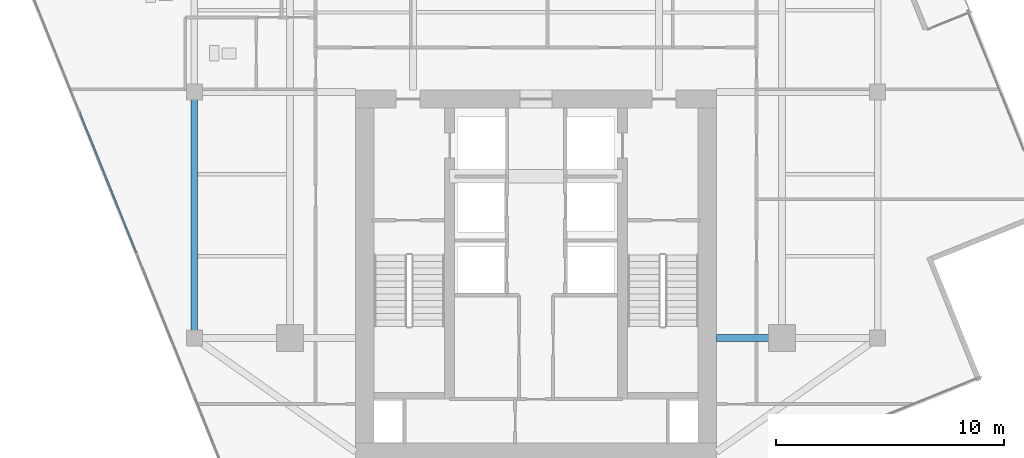
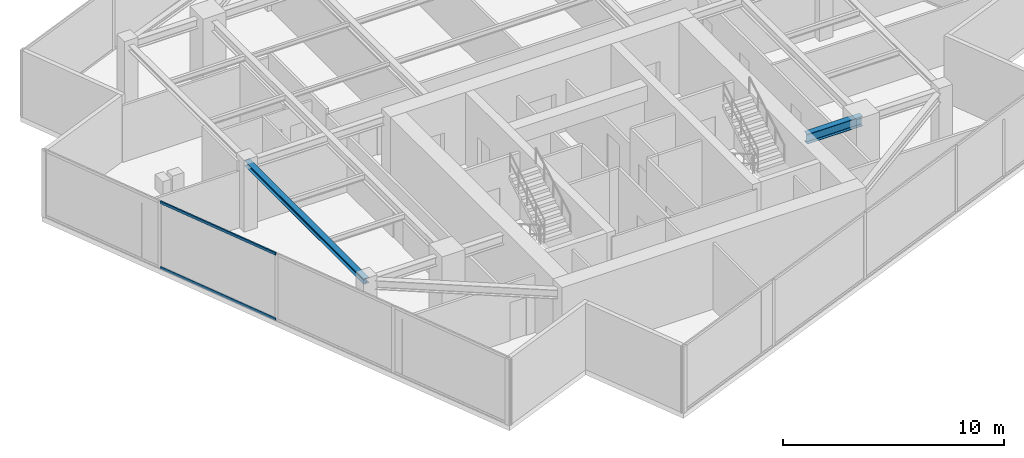
# One storey, part 4 of 21: 2 beams, 2 members, 1 element without a shape of its own.
"""IFC4 building model written with IfcOpenShell, lengths in metres."""

from ifc_helpers import new_model, si_unit, direction, frame, origin, origin_2d, place, context, subcontext, project, spatial, hollow_rectangle, i_section, extrude, source, transform, mapped, material, material_profile, profile_set, type_object, type_shapes, element, aggregate, save


model = new_model("IFC4")

# Units and contexts
model_context = context("Model", 3, precision=1e-05, world=origin(), true_north=direction((0.0, 1.0)))
body_context = subcontext(model_context, "Body", "Model", "MODEL_VIEW")
ifc_project = project(units=[si_unit("LENGTHUNIT", "METRE"), si_unit("AREAUNIT", "SQUARE_METRE"), si_unit("VOLUMEUNIT", "CUBIC_METRE"), si_unit("PLANEANGLEUNIT", "RADIAN"), si_unit("MASSUNIT", "GRAM", prefix="KILO")], contexts=[model_context])

# Site, building, storey
site_placement = place(None, origin())
site = spatial("IfcSite", under=ifc_project, at=site_placement, CompositionType="ELEMENT")
building_placement = place(site_placement, origin())
building = spatial("IfcBuilding", under=site, at=building_placement, Name="Krantzveldt Concourse Tower", CompositionType="ELEMENT")
storey_placement = place(building_placement, frame((0.0, 0.0, 327.699951171875)))
storey = spatial("IfcBuildingStorey", under=building, at=storey_placement, Name="L80", CompositionType="ELEMENT", Elevation=327.699951171875)

# Beams
ifc_material_1 = material(Name="Steel S355JR", Category="steel")
ifc_material_profile_1 = material_profile(ifc_material_1, i_section(OverallWidth=0.300048828125, OverallDepth=0.5400390625, WebThickness=0.012451171875, FlangeThickness=0.02392578125, FilletRadius=0.027099609375, at=origin_2d()), Name="Steel S355JR", Category="steel")
ifc_profile_set_1 = profile_set([ifc_material_profile_1], Name="Steel S355JR - HEA 550")
beam_type_1 = type_object("IfcBeamType", Name="BM-B-HEA550", PredefinedType="BEAM", material=ifc_profile_set_1)
shared_shape_1 = source(origin(), body_context, "Body", "SweptSolid", [
    extrude(i_section(OverallWidth=0.300048828125, OverallDepth=0.5400390625, WebThickness=0.012451171875, FlangeThickness=0.02392578125, FilletRadius=0.027099609375, at=origin_2d()), origin(), (0.0, 0.0, 1.0), 2.880126953125),
])
type_shapes(beam_type_1, [shared_shape_1])
beam_1_placement = place(storey_placement, frame((43.919921875, 15.89990234375, 3.400146484375), z_axis=(1.0, 0.0, 0.0), x_axis=(0.0, 1.0, 0.0)))
element("IfcBeam", 1, at=beam_1_placement, inside=storey, type_object=beam_type_1, Name="L80 Tower Girder BG-CE1", PredefinedType="BEAM", context=body_context, shape_type="MappedRepresentation", body=[
    mapped(shared_shape_1, transform((0.0, 0.0, 0.0), x_axis=(1.0, 0.0, 0.0), y_axis=(0.0, 1.0, 0.0), z_axis=(0.0, 0.0, 1.0), scale=1.0)),
])
ifc_material_profile_2 = material_profile(ifc_material_1, i_section(OverallWidth=0.2900390625, OverallDepth=0.2900390625, WebThickness=0.008544921875, FlangeThickness=0.013916015625, FilletRadius=0.027099609375, at=origin_2d()), Name="Steel S355JR", Category="steel")
ifc_profile_set_2 = profile_set([ifc_material_profile_2], Name="Steel S355JR - HEA 300")
beam_type_2 = type_object("IfcBeamType", Name="BM-SP-HEA300", PredefinedType="SPANDREL", material=ifc_profile_set_2)
shared_shape_2 = source(origin(), body_context, "Body", "SweptSolid", [
    extrude(i_section(OverallWidth=0.2900390625, OverallDepth=0.2900390625, WebThickness=0.008544921875, FlangeThickness=0.013916015625, FilletRadius=0.027099609375, at=origin_2d()), origin(), (0.0, 0.0, 1.0), 10.800048828125),
])
type_shapes(beam_type_2, [shared_shape_2])
beam_2_placement = place(storey_placement, frame((21.0, 15.89990234375, 3.525146484375), z_axis=(0.0, 1.0, 0.0), x_axis=(-1.0, 0.0, 0.0)))
element("IfcBeam", 2, at=beam_2_placement, inside=storey, type_object=beam_type_2, Name="L80 Tower Girder SP-R01", PredefinedType="SPANDREL", context=body_context, shape_type="MappedRepresentation", body=[
    mapped(shared_shape_2, transform((0.0, 0.0, 0.0), x_axis=(1.0, 0.0, 0.0), y_axis=(0.0, 1.0, 0.0), z_axis=(0.0, 0.0, 1.0), scale=1.0)),
])

# Curtain wall, members
ifc_material_2 = material(Name="Anodised aluminium 6063-T6", Category="aluminium")
curtain_wall_type = type_object("IfcCurtainWallType", Name="CW4", PredefinedType="USERDEFINED", material=ifc_material_2)
curtain_wall_placement = place(storey_placement, origin())
curtain_wall = element("IfcCurtainWall", 3, at=curtain_wall_placement, inside=storey, type_object=curtain_wall_type, Name="CW-L80-F04", ObjectType="UNITISED CURTAIN WALL", PredefinedType="USERDEFINED")
ifc_material_profile_3 = material_profile(ifc_material_2, hollow_rectangle(XDim=0.070068359375, YDim=0.139892578125, WallThickness=0.0048828125, at=origin_2d()), Name="Anodised aluminium 6063-T6", Category="aluminium")
ifc_profile_set_3 = profile_set([ifc_material_profile_3], Name="Anodised aluminium 6063-T6 - ALU-TRAN 140x70x5")
member_type = type_object("IfcMemberType", Name="CW-TRN-150", PredefinedType="USERDEFINED", material=ifc_profile_set_3)
shared_shape_3 = source(origin(), body_context, "Body", "SweptSolid", [
    extrude(hollow_rectangle(XDim=0.070068359375, YDim=0.139892578125, WallThickness=0.0048828125, at=origin_2d()), origin(), (0.0, 0.0, 1.0), 6.6298828125),
])
type_shapes(member_type, [shared_shape_3])
member_1_placement = place(storey_placement, frame((15.97021484375, 25.7958984375, 0.03515625), z_axis=(0.374607342392, -0.92718355196, 0.0), x_axis=(0.92718355196, 0.374607342392, 0.0)))
member_1 = element("IfcMember", 4, at=member_1_placement, type_object=member_type, Name="CW-Z56 transom 2.1", ObjectType="TRANSOM", PredefinedType="USERDEFINED", context=body_context, shape_type="MappedRepresentation", body=[
    mapped(shared_shape_3, transform((0.0, 0.0, 0.0), x_axis=(1.0, 0.0, 0.0), y_axis=(0.0, 1.0, 0.0), z_axis=(0.0, 0.0, 1.0), scale=1.0)),
])
member_2_placement = place(storey_placement, frame((15.97021484375, 25.7958984375, 3.635009765625), z_axis=(0.374607342392, -0.92718355196, 0.0), x_axis=(0.92718355196, 0.374607342392, 0.0)))
member_2 = element("IfcMember", 5, at=member_2_placement, type_object=member_type, Name="CW-Z56 transom 2.2", ObjectType="TRANSOM", PredefinedType="USERDEFINED", context=body_context, shape_type="MappedRepresentation", body=[
    mapped(shared_shape_3, transform((0.0, 0.0, 0.0), x_axis=(1.0, 0.0, 0.0), y_axis=(0.0, 1.0, 0.0), z_axis=(0.0, 0.0, 1.0), scale=1.0)),
])
aggregate(curtain_wall, [member_1, member_2])

save(model, "model.ifc")
